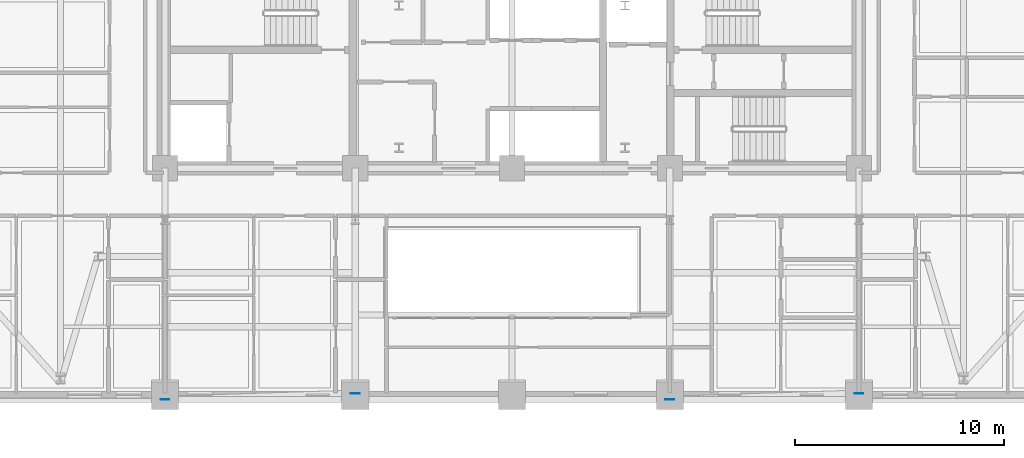
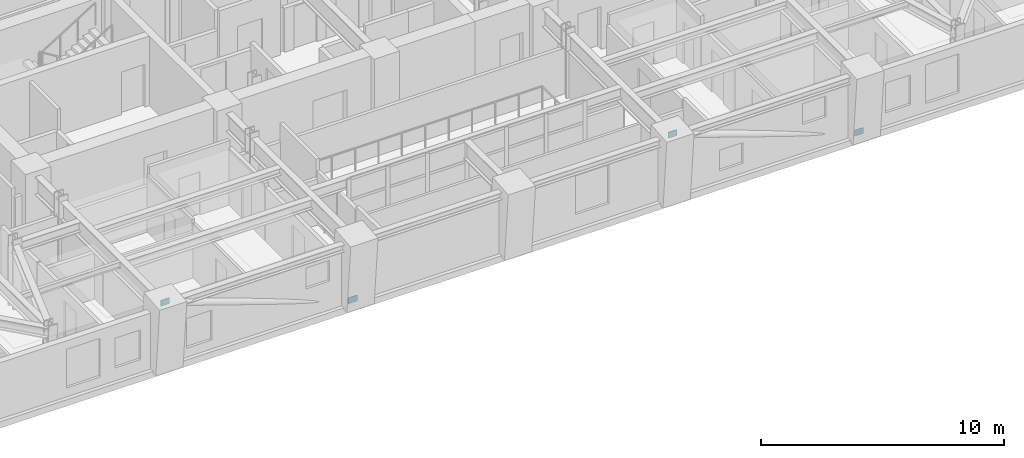
# One storey, part 7 of 16: 4 plates.
"""IFC4 building model written with IfcOpenShell, lengths in metres."""

from ifc_helpers import new_model, si_unit, direction, frame, origin, origin_2d, place, context, subcontext, project, spatial, rectangle, extrude, material, layer, layer_set, type_object, element, save


model = new_model("IFC4")

# Units and contexts
model_context = context("Model", 3, precision=1e-05, world=origin(), true_north=direction((0.0, 1.0)))
body_context = subcontext(model_context, "Body", "Model", "MODEL_VIEW")
ifc_project = project(units=[si_unit("LENGTHUNIT", "METRE"), si_unit("AREAUNIT", "SQUARE_METRE"), si_unit("VOLUMEUNIT", "CUBIC_METRE"), si_unit("PLANEANGLEUNIT", "RADIAN"), si_unit("MASSUNIT", "GRAM", prefix="KILO")], contexts=[model_context])

# Site, building, storey
site_placement = place(None, origin())
site = spatial("IfcSite", under=ifc_project, at=site_placement, CompositionType="ELEMENT")
building_placement = place(site_placement, origin())
building = spatial("IfcBuilding", under=site, at=building_placement, Name="Zarnavel Station Tower", CompositionType="ELEMENT")
storey_placement = place(building_placement, frame((0.0, 0.0, 101.300048828125)))
storey = spatial("IfcBuildingStorey", under=building, at=storey_placement, Name="L27", CompositionType="ELEMENT", Elevation=101.300048828125)

# Plates
ifc_material = material(Name="Steel S460M", Category="steel")
ifc_layer = layer(ifc_material, 0.02490234375)
ifc_layer_set = layer_set([ifc_layer], Name="GP_GUSSET_25")
plate_type = type_object("IfcPlateType", Name="GP_GUSSET_25", PredefinedType="USERDEFINED", material=ifc_layer_set)
for number, where, z_axis, x_axis, name in (
    (1, (21.300048828125, 17.048095703125, -0.14990234375), (0.0, 0.0, 1.0), (1.0, 0.0, 0.0), "L27 Exterior Diagonal Brace End Gusset 1-1"),
    (2, (12.199951171875, 16.754638671875, 3.08984375), (0.0, 0.0, 1.0), (1.0, 0.0, 0.0), "L27 Exterior Diagonal Brace End Gusset 1-2"),
    (3, (45.39990234375, 17.048095703125, -0.14990234375), (0.0, 0.0, 1.0), (1.0, 0.0, 0.0), "L27 Exterior Diagonal Brace End Gusset 2-1"),
    (4, (36.35009765625, 16.754638671875, 3.08984375), (0.0, 0.0, 1.0), (1.0, 0.0, 0.0), "L27 Exterior Diagonal Brace End Gusset 2-2"),
):
    element("IfcPlate", number, at=place(storey_placement, frame(where, z_axis=z_axis, x_axis=x_axis)), inside=storey, type_object=plate_type, Name=name, ObjectType="GUSSET_PLATE", PredefinedType="USERDEFINED", context=body_context, shape_type="SweptSolid", body=[
        extrude(rectangle(XDim=0.419921875, YDim=0.02490234375, at=origin_2d()), origin(), (0.0, 0.0, 1.0), 0.300048828125),
    ])

save(model, "model.ifc")
